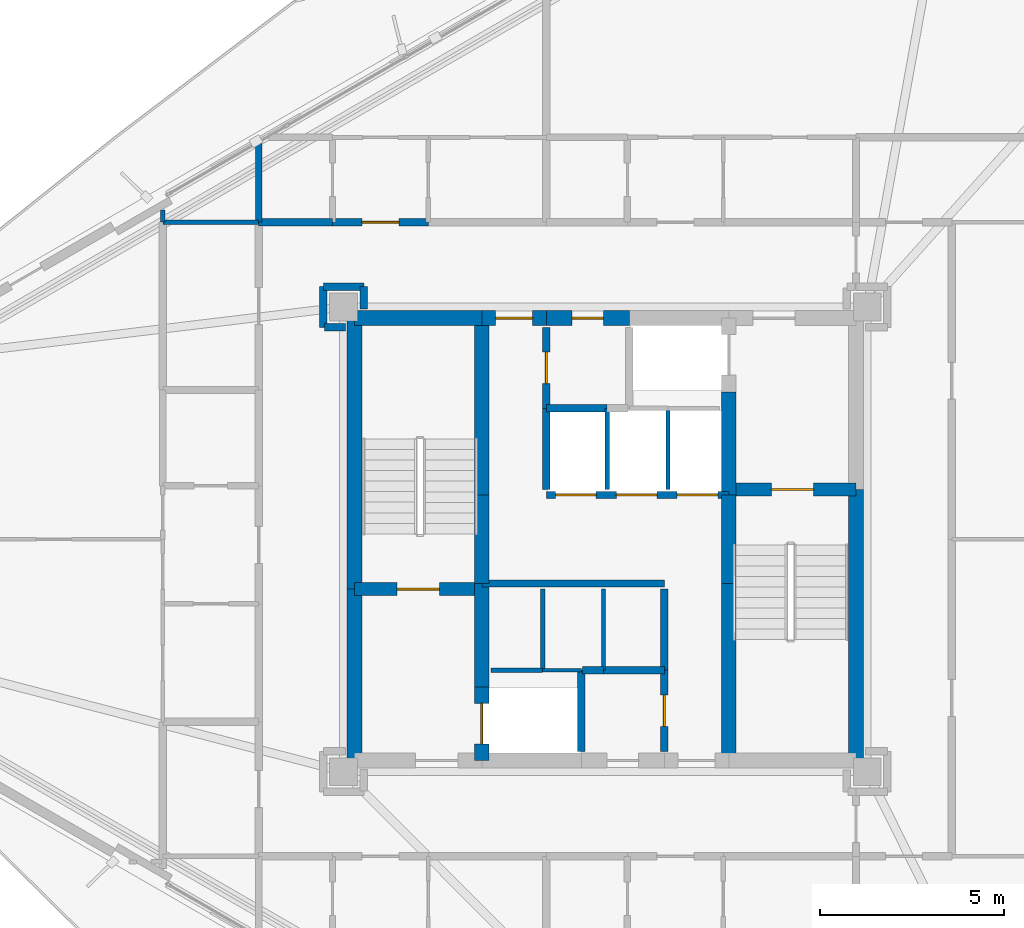
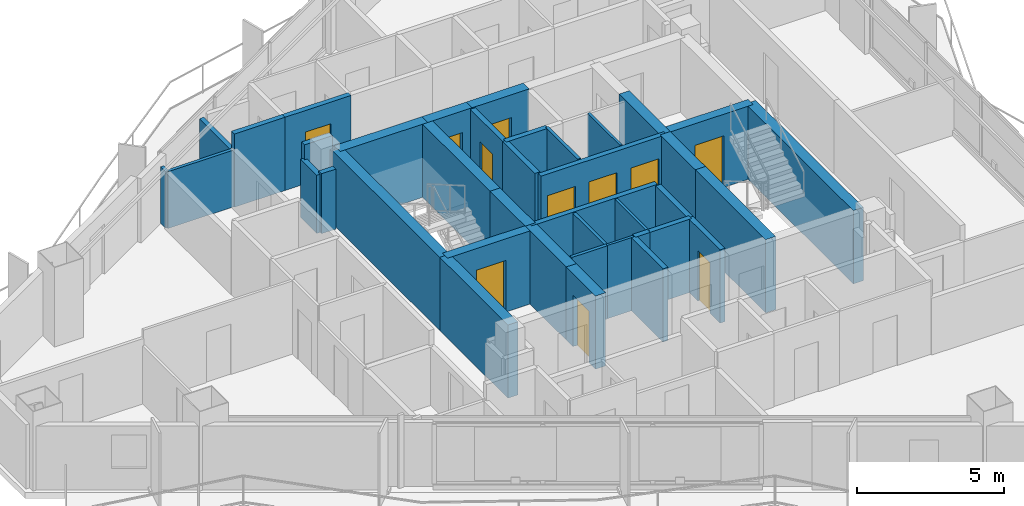
# One storey, part 18 of 23: 40 walls, 11 doors, 11 openings.
"""IFC4 building model written with IfcOpenShell, lengths in metres."""

import ifcopenshell
import ifcopenshell.guid

model = None  # the IFC model being written
_history = None  # IfcOwnerHistory: only IFC2X3 demands one
_inside = {}  # id of a spatial element -> (the spatial element, [elements in it])
_under = {}  # id of a project, library or spatial element -> (it, [spatial elements below it])
_declared = {}  # id of a project -> (the project, [libraries it declares])
_typed = {}  # id of a type object -> (the type object, [elements of that type])
_made_of = {}  # id of a material, layer set ... -> (it, [elements and type objects made of it])


def new_model(schema):
    """Start an empty IFC model of exactly this schema.

    Asked for "IFC4X3", IfcOpenShell would pick the latest addendum, in which some entities
    have other attributes; the version numbers below select the first issue.
    IFC2X3 requires an IfcOwnerHistory on every rooted entity: one is made here for all.
    """
    global model, _history
    if schema == "IFC4X3":
        model = ifcopenshell.file(schema_version=(4, 3, 0, 0))
    else:
        model = ifcopenshell.file(schema=schema)
    _inside.clear()
    _under.clear()
    _declared.clear()
    _typed.clear()
    _made_of.clear()
    _history = None
    if model.schema == "IFC2X3":
        org = make("IfcOrganization", Name="unknown")
        user = make(
            "IfcPersonAndOrganization",
            ThePerson=make("IfcPerson", FamilyName="unknown"),
            TheOrganization=org,
        )
        app = make(
            "IfcApplication",
            ApplicationDeveloper=org,
            Version="unknown",
            ApplicationFullName="unknown",
            ApplicationIdentifier="unknown",
        )
        _history = make(
            "IfcOwnerHistory",
            OwningUser=user,
            OwningApplication=app,
            ChangeAction="ADDED",
            CreationDate=0,
        )
    return model


def make(cls, **values):
    """One entity of the class cls with the attributes given. An attribute that is None is left unset."""
    return model.create_entity(
        cls, **{name: value for name, value in values.items() if value is not None}
    )


def rooted(cls, **values):
    """An entity with a GlobalId (a new one), such as an element, a storey or a relation."""
    return make(cls, GlobalId=ifcopenshell.guid.new(), OwnerHistory=_history, **values)


def si_unit(unit_type, name, prefix=None):
    """IfcSIUnit, for example si_unit("LENGTHUNIT", "METRE", prefix="MILLI")."""
    return make("IfcSIUnit", UnitType=unit_type, Prefix=prefix, Name=name)


def assignment(units):
    """IfcUnitAssignment: the units of a project."""
    return None if units is None else make("IfcUnitAssignment", Units=units)


def point(xyz):
    """IfcCartesianPoint."""
    return None if xyz is None else make("IfcCartesianPoint", Coordinates=xyz)


def direction(xyz):
    """IfcDirection."""
    return None if xyz is None else make("IfcDirection", DirectionRatios=xyz)


def frame(location, z_axis=None, x_axis=None):
    """IfcAxis2Placement3D, a coordinate frame: its origin and axes. An axis left out is left unset."""
    return make(
        "IfcAxis2Placement3D",
        Location=point(location),
        Axis=direction(z_axis),
        RefDirection=direction(x_axis),
    )


def frame_2d(location, x_axis=None):
    """IfcAxis2Placement2D, a coordinate frame in the plane: its origin and x axis."""
    return make(
        "IfcAxis2Placement2D", Location=point(location), RefDirection=direction(x_axis)
    )


def origin():
    """The frame at (0, 0, 0) with its axes left unset."""
    return frame((0.0, 0.0, 0.0))


def place(relative_to, where):
    """IfcLocalPlacement: puts the frame where relative to a parent placement (None: the world)."""
    return make(
        "IfcLocalPlacement", PlacementRelTo=relative_to, RelativePlacement=where
    )


def context(
    kind, dimensions, precision=None, world=None, true_north=None, identifier=None
):
    """IfcGeometricRepresentationContext, for example the 3D "Model" context."""
    return make(
        "IfcGeometricRepresentationContext",
        ContextIdentifier=identifier,
        ContextType=kind,
        CoordinateSpaceDimension=dimensions,
        Precision=precision,
        WorldCoordinateSystem=world,
        TrueNorth=true_north,
    )


def subcontext(parent, identifier, kind, view, scale=None):
    """IfcGeometricRepresentationSubContext, for example "Body" below "Model"."""
    return make(
        "IfcGeometricRepresentationSubContext",
        ContextIdentifier=identifier,
        ContextType=kind,
        ParentContext=parent,
        TargetScale=scale,
        TargetView=view,
    )


def project(units=None, contexts=None):
    """IfcProject with its units and contexts."""
    return rooted(
        "IfcProject",
        Name="project",
        RepresentationContexts=contexts,
        UnitsInContext=assignment(units),
    )


def spatial(cls, under=None, at=None, **own):
    """A site, building, storey or space (cls), placed at a placement, below another one or the project."""
    s = rooted(cls, ObjectPlacement=at, **own)
    if under is not None:
        _under.setdefault(under.id(), (under, []))[1].append(s)
    return s


def profile(cls, at=None, kind="AREA", **sizes):
    """A parametric profile (cls). Its sizes go by their IFC names, for example OverallWidth=200.0."""
    return make(cls, ProfileType=kind, Position=at, **sizes)


def rectangle(**sizes):
    """IfcRectangleProfileDef."""
    return profile("IfcRectangleProfileDef", **sizes)


def extrude(swept, where, along, depth):
    """IfcExtrudedAreaSolid: the profile swept, set in the frame where, extruded along a direction by depth."""
    return make(
        "IfcExtrudedAreaSolid",
        SweptArea=swept,
        Position=where,
        ExtrudedDirection=direction(along),
        Depth=depth,
    )


def shape(context_of_items, identifier, shape_type, items):
    """IfcShapeRepresentation: the items that make up one representation, for example the "Body"."""
    return make(
        "IfcShapeRepresentation",
        ContextOfItems=context_of_items,
        RepresentationIdentifier=identifier,
        RepresentationType=shape_type,
        Items=items,
    )


def material(Name=None, Category=None):
    """IfcMaterial."""
    return make("IfcMaterial", Name=Name, Category=Category)


def layer(
    of_material, thickness, ventilated=None, Name=None, Category=None, Priority=None
):
    """IfcMaterialLayer: one layer of a wall or slab, of a material (None: an air gap)."""
    return make(
        "IfcMaterialLayer",
        Material=of_material,
        LayerThickness=thickness,
        IsVentilated=ventilated,
        Name=Name,
        Category=Category,
        Priority=Priority,
    )


def layer_set(layers, Name=None):
    """IfcMaterialLayerSet."""
    return make("IfcMaterialLayerSet", MaterialLayers=layers, LayerSetName=Name)


def made_of(thing, what):
    """Note that an element or type object is made of a material, layer set ...; save() writes the relation."""
    if what is not None:
        _made_of.setdefault(what.id(), (what, []))[1].append(thing)
    return thing


def type_object(cls, material=None, **own):
    """A type object (cls), such as IfcWallType, which elements share."""
    return made_of(rooted(cls, **own), material)


def element(
    cls,
    number,
    at=None,
    inside=None,
    cuts=None,
    type_object=None,
    material=None,
    context=None,
    identifier="Body",
    shape_type=None,
    held_by="IfcProductDefinitionShape",
    body=None,
    shapes=None,
    **own,
):
    """One element of the class cls, such as IfcWall. Its Tag is "e" and its number.

    at: its placement. inside: the storey or other place that contains it. cuts: it is an
    opening in that element (IfcRelVoidsElement). A single representation is given by context,
    identifier, shape_type and body (its items); several are given by shapes. held_by: the class
    of the entity that holds the representations. save() writes the other relations.
    """
    e = rooted(cls, Tag="e%d" % number, ObjectPlacement=at, **own)
    if body is not None:
        shapes = [shape(context, identifier, shape_type, body)]
    if shapes is not None:
        e.Representation = make(held_by, Representations=shapes)
    if inside is not None:
        _inside.setdefault(inside.id(), (inside, []))[1].append(e)
    if cuts is not None:
        rooted(
            "IfcRelVoidsElement", RelatingBuildingElement=cuts, RelatedOpeningElement=e
        )
    if type_object is not None:
        _typed.setdefault(type_object.id(), (type_object, []))[1].append(e)
    return made_of(e, material)


def fill(opening, filler):
    """IfcRelFillsElement: the door or window that sits in an opening."""
    return rooted(
        "IfcRelFillsElement",
        RelatingOpeningElement=opening,
        RelatedBuildingElement=filler,
    )


def aggregate(whole, parts):
    """IfcRelAggregates: a whole, such as a stair, and the parts it consists of."""
    return rooted("IfcRelAggregates", RelatingObject=whole, RelatedObjects=parts)


def save(model, path):
    """Write the relations noted so far, then the file.

    IfcRelAggregates (storeys below a building ...), IfcRelContainedInSpatialStructure (elements
    in a storey), IfcRelDefinesByType, IfcRelAssociatesMaterial and IfcRelDeclares: one each for
    every whole, place, type object, material and project.
    """
    for whole, parts in _under.values():
        aggregate(whole, parts)
    for where, things in _inside.values():
        rooted(
            "IfcRelContainedInSpatialStructure",
            RelatedElements=things,
            RelatingStructure=where,
        )
    for kind, things in _typed.values():
        rooted("IfcRelDefinesByType", RelatedObjects=things, RelatingType=kind)
    for what, things in _made_of.values():
        rooted("IfcRelAssociatesMaterial", RelatedObjects=things, RelatingMaterial=what)
    for by, libraries in _declared.values():
        rooted("IfcRelDeclares", RelatingContext=by, RelatedDefinitions=libraries)
    model.write(path)


model = new_model("IFC4")

# Units and contexts
model_context = context("Model", 3, precision=1e-05, world=origin(), true_north=direction((0.0, 1.0)))
body_context = subcontext(model_context, "Body", "Model", "MODEL_VIEW")
ifc_project = project(units=[si_unit("LENGTHUNIT", "METRE"), si_unit("AREAUNIT", "SQUARE_METRE"), si_unit("VOLUMEUNIT", "CUBIC_METRE"), si_unit("PLANEANGLEUNIT", "RADIAN"), si_unit("MASSUNIT", "GRAM", prefix="KILO")], contexts=[model_context])

# Site, building, storey
site_placement = place(None, origin())
site = spatial("IfcSite", under=ifc_project, at=site_placement, CompositionType="ELEMENT")
building_placement = place(site_placement, origin())
building = spatial("IfcBuilding", under=site, at=building_placement, Name="Mersakhor Tower and Convention Hall", CompositionType="ELEMENT")
storey_placement = place(building_placement, frame((0.0, 0.0, 96.60009765625)))
storey = spatial("IfcBuildingStorey", under=building, at=storey_placement, Name="L26", CompositionType="ELEMENT", Elevation=96.60009765625)

# Walls
ifc_material_1 = material(Name="Moisture-resistant acoustic drywall studwork", Category="other")
ifc_layer_1 = layer(ifc_material_1, 0.175048828125)
ifc_layer_set_1 = layer_set([ifc_layer_1], Name="Moisture-resistant acoustic drywall studwork")
wall_type_1 = type_object("IfcWallType", Name="WL-PLM-175", PredefinedType="PLUMBINGWALL", material=ifc_layer_set_1)
wall_1_placement = place(storey_placement, frame((19.60009765625, 35.35009765625, 0.0), z_axis=(0.0, 0.0, 1.0), x_axis=(0.0, 1.0, 0.0)))
element("IfcWall", 1, at=wall_1_placement, inside=storey, type_object=wall_type_1, Name="L26 Interior Partition Wall P-076", PredefinedType="PLUMBINGWALL", context=body_context, shape_type="SweptSolid", body=[
    extrude(rectangle(XDim=2.136962890625, YDim=0.175048828125, at=frame_2d((1.068359375, 0.0))), origin(), (0.0, 0.0, 1.0), 2.364990234375),
])
ifc_material_2 = material(Name="Lightweight gypsum partition", Category="other")
ifc_layer_2 = layer(ifc_material_2, 0.10009765625)
ifc_layer_set_2 = layer_set([ifc_layer_2], Name="Lightweight gypsum partition")
wall_type_2 = type_object("IfcWallType", Name="WL-PRT-100", PredefinedType="PARTITIONING", material=ifc_layer_set_2)
wall_2_placement = place(storey_placement, frame((27.300048828125, 23.199951171875, 0.0), z_axis=(0.0, 0.0, 1.0), x_axis=(1.0, 0.0, 0.0)))
element("IfcWall", 2, at=wall_2_placement, inside=storey, type_object=wall_type_2, Name="L26 Interior Partition Wall P-002", PredefinedType="PARTITIONING", context=body_context, shape_type="SweptSolid", body=[
    extrude(rectangle(XDim=1.050048828125, YDim=0.10009765625, at=frame_2d((0.52490234375, 0.0))), origin(), (0.0, 0.0, 1.0), 3.0498046875),
])
for number, where, z_axis, x_axis, name in (
    (3, (28.949951171875, 25.39990234375, 0.0), (0.0, 0.0, 1.0), (0.0, -1.0, 0.0), "L26 Interior Partition Wall P-008"),
    (4, (30.699951171875, 30.300048828125, 0.0), (0.0, 0.0, 1.0), (0.0, -1.0, 0.0), "L26 Interior Partition Wall P-016"),
):
    element("IfcWall", number, at=place(storey_placement, frame(where, z_axis=z_axis, x_axis=x_axis)), inside=storey, type_object=wall_type_2, Name=name, PredefinedType="PARTITIONING", context=body_context, shape_type="SweptSolid", body=[
        extrude(rectangle(XDim=2.199951171875, YDim=0.10009765625, at=frame_2d((1.10009765625, 0.0))), origin(), (0.0, 0.0, 1.0), 3.0498046875),
    ])
ifc_material_3 = material(Name="Gypsum board acoustic partition", Category="other")
ifc_layer_3 = layer(ifc_material_3, 0.125)
ifc_layer_set_3 = layer_set([ifc_layer_3], Name="Gypsum board acoustic partition")
wall_type_3 = type_object("IfcWallType", Name="WL-PRT-125", PredefinedType="PARTITIONING", material=ifc_layer_set_3)
wall_3_placement = place(storey_placement, frame((25.89990234375, 23.199951171875, 0.0), z_axis=(0.0, 0.0, 1.0), x_axis=(1.0, 0.0, 0.0)))
element("IfcWall", 5, at=wall_3_placement, inside=storey, type_object=wall_type_3, Name="L26 Interior Partition Wall P-001", PredefinedType="PARTITIONING", context=body_context, shape_type="SweptSolid", body=[
    extrude(rectangle(XDim=1.400146484375, YDim=0.125, at=frame_2d((0.7001953125, 0.0))), origin(), (0.0, 0.0, 1.0), 3.0498046875),
])
for number, where, z_axis, x_axis, name in (
    (6, (27.300048828125, 25.39990234375, 0.0), (0.0, 0.0, 1.0), (0.0, -1.0, 0.0), "L26 Interior Partition Wall P-007"),
    (7, (29.050048828125, 30.300048828125, 0.0), (0.0, 0.0, 1.0), (0.0, -1.0, 0.0), "L26 Interior Partition Wall P-013"),
):
    element("IfcWall", number, at=place(storey_placement, frame(where, z_axis=z_axis, x_axis=x_axis)), inside=storey, type_object=wall_type_3, Name=name, PredefinedType="PARTITIONING", context=body_context, shape_type="SweptSolid", body=[
        extrude(rectangle(XDim=2.199951171875, YDim=0.125, at=frame_2d((1.10009765625, 0.0))), origin(), (0.0, 0.0, 1.0), 3.0498046875),
    ])
wall_4_placement = place(storey_placement, frame((17.0, 35.35009765625, 0.0), z_axis=(0.0, 0.0, 1.0), x_axis=(1.0, 0.0, 0.0)))
element("IfcWall", 8, at=wall_4_placement, inside=storey, type_object=wall_type_3, Name="L26 Interior Partition Wall P-099", PredefinedType="PARTITIONING", context=body_context, shape_type="SweptSolid", body=[
    extrude(rectangle(XDim=2.60009765625, YDim=0.125, at=frame_2d((1.300048828125, 0.0))), origin(), (0.0, 0.0, 1.0), 2.364990234375),
])
wall_5_placement = place(storey_placement, frame((17.0, 35.676513671875, 0.0), z_axis=(0.0, 0.0, 1.0), x_axis=(0.0, -1.0, 0.0)))
element("IfcWall", 9, at=wall_5_placement, inside=storey, type_object=wall_type_3, Name="L26 Interior Partition Wall P-107", PredefinedType="PARTITIONING", context=body_context, shape_type="SweptSolid", body=[
    extrude(rectangle(XDim=0.326416015625, YDim=0.125, at=frame_2d((0.1630859375, 0.0))), origin(), (0.0, 0.0, 1.0), 2.364990234375),
])
ifc_material_4 = material(Name="Acoustic concrete blockwork and gypsum board", Category="masonry")
ifc_layer_4 = layer(ifc_material_4, 0.199951171875)
ifc_layer_set_4 = layer_set([ifc_layer_4], Name="Acoustic concrete blockwork and gypsum board")
wall_type_4 = type_object("IfcWallType", Name="WL-PRT-200", PredefinedType="PARTITIONING", material=ifc_layer_set_4)
wall_6_placement = place(storey_placement, frame((25.64990234375, 25.550048828125, 0.0), z_axis=(0.0, 0.0, 1.0), x_axis=(1.0, 0.0, 0.0)))
element("IfcWall", 10, at=wall_6_placement, inside=storey, type_object=wall_type_4, Name="L26 High-Rise Lift Bank Front Wall", PredefinedType="PARTITIONING", context=body_context, shape_type="SweptSolid", body=[
    extrude(rectangle(XDim=4.9501953125, YDim=0.199951171875, at=frame_2d((2.47509765625, 0.0))), origin(), (0.0, 0.0, 1.0), 3.0498046875),
])

# Wall, openings, doors
wall_7_placement = place(storey_placement, frame((27.39990234375, 27.949951171875, 0.0), z_axis=(0.0, 0.0, 1.0), x_axis=(1.0, 0.0, 0.0)))
wall_7 = element("IfcWall", 11, at=wall_7_placement, inside=storey, type_object=wall_type_4, Name="L26 Low-Rise Lift Bank Front Wall", PredefinedType="PARTITIONING", context=body_context, shape_type="SweptSolid", body=[
    extrude(rectangle(XDim=4.9501953125, YDim=0.199951171875, at=frame_2d((2.47509765625, 0.0))), origin(), (0.0, 0.0, 1.0), 3.0498046875),
])
opening_1_placement = place(wall_7_placement, frame((0.25, 0.0, 0.0)))
opening_1 = element("IfcOpeningElement", 12, at=opening_1_placement, cuts=wall_7, Name="Opening LD-P1", PredefinedType="OPENING", context=body_context, shape_type="SweptSolid", body=[
    extrude(rectangle(XDim=1.10009765625, YDim=2.14990234375, at=frame_2d((0.550048828125, 1.074951171875))), frame((0.0, 0.10986328125, 0.0), z_axis=(0.0, -1.0, 0.0), x_axis=(1.0, 0.0, 0.0)), (0.0, 0.0, 1.0), 0.219970703125),
])
opening_2_placement = place(wall_7_placement, frame((1.89990234375, 0.0, 0.0)))
opening_2 = element("IfcOpeningElement", 13, at=opening_2_placement, cuts=wall_7, Name="Opening LD-P2", PredefinedType="OPENING", context=body_context, shape_type="SweptSolid", body=[
    extrude(rectangle(XDim=1.10009765625, YDim=2.14990234375, at=frame_2d((0.550048828125, 1.074951171875))), frame((0.0, 0.10986328125, 0.0), z_axis=(0.0, -1.0, 0.0), x_axis=(1.0, 0.0, 0.0)), (0.0, 0.0, 1.0), 0.219970703125),
])
opening_3_placement = place(wall_7_placement, frame((3.550048828125, 0.0, 0.0)))
opening_3 = element("IfcOpeningElement", 14, at=opening_3_placement, cuts=wall_7, Name="Opening LD-P3", PredefinedType="OPENING", context=body_context, shape_type="SweptSolid", body=[
    extrude(rectangle(XDim=1.10009765625, YDim=2.14990234375, at=frame_2d((0.550048828125, 1.074951171875))), frame((0.0, 0.10986328125, 0.0), z_axis=(0.0, -1.0, 0.0), x_axis=(1.0, 0.0, 0.0)), (0.0, 0.0, 1.0), 0.219970703125),
])
ifc_material_5 = material(Name="Fire-rated brushed stainless steel sliding landing door", Category="steel")
door_type_1 = type_object("IfcDoorType", Name="DR-LIFT-SLD-110x215", OperationType="NOTDEFINED", PredefinedType="DOOR", material=ifc_material_5)
door_1_placement = place(opening_1_placement, origin())
door_1 = element("IfcDoor", 15, at=door_1_placement, inside=storey, type_object=door_type_1, Name="L26 Lift Landing Door LD-P1", OperationType="SLIDING_TO_LEFT", OverallHeight=2.14990234375, OverallWidth=1.10009765625, PredefinedType="DOOR", context=body_context, shape_type="SweptSolid", body=[
    extrude(rectangle(XDim=1.10009765625, YDim=2.14990234375, at=frame_2d((0.550048828125, 1.074951171875))), frame((0.0, 0.02490234375, 0.0), z_axis=(0.0, -1.0, 0.0), x_axis=(1.0, 0.0, 0.0)), (0.0, 0.0, 1.0), 0.050048828125),
])
fill(opening_1, door_1)
door_2_placement = place(opening_2_placement, origin())
door_2 = element("IfcDoor", 16, at=door_2_placement, inside=storey, type_object=door_type_1, Name="L26 Lift Landing Door LD-P2", OperationType="SLIDING_TO_LEFT", OverallHeight=2.14990234375, OverallWidth=1.10009765625, PredefinedType="DOOR", context=body_context, shape_type="SweptSolid", body=[
    extrude(rectangle(XDim=1.10009765625, YDim=2.14990234375, at=frame_2d((0.550048828125, 1.074951171875))), frame((0.0, 0.02490234375, 0.0), z_axis=(0.0, -1.0, 0.0), x_axis=(1.0, 0.0, 0.0)), (0.0, 0.0, 1.0), 0.050048828125),
])
fill(opening_2, door_2)
door_3_placement = place(opening_3_placement, origin())
door_3 = element("IfcDoor", 17, at=door_3_placement, inside=storey, type_object=door_type_1, Name="L26 Lift Landing Door LD-P3", OperationType="SLIDING_TO_LEFT", OverallHeight=2.14990234375, OverallWidth=1.10009765625, PredefinedType="DOOR", context=body_context, shape_type="SweptSolid", body=[
    extrude(rectangle(XDim=1.10009765625, YDim=2.14990234375, at=frame_2d((0.550048828125, 1.074951171875))), frame((0.0, 0.02490234375, 0.0), z_axis=(0.0, -1.0, 0.0), x_axis=(1.0, 0.0, 0.0)), (0.0, 0.0, 1.0), 0.050048828125),
])
fill(opening_3, door_3)

# Walls
wall_8_placement = place(storey_placement, frame((28.35009765625, 23.199951171875, 0.0), z_axis=(0.0, 0.0, 1.0), x_axis=(0.0, -1.0, 0.0)))
element("IfcWall", 18, at=wall_8_placement, inside=storey, type_object=wall_type_4, Name="L26 Interior Partition Wall P-003", PredefinedType="PARTITIONING", context=body_context, shape_type="SweptSolid", body=[
    extrude(rectangle(XDim=2.199951171875, YDim=0.199951171875, at=frame_2d((1.10009765625, 0.0))), origin(), (0.0, 0.0, 1.0), 3.0498046875),
])
wall_9_placement = place(storey_placement, frame((28.949951171875, 23.199951171875, 0.0), z_axis=(0.0, 0.0, 1.0), x_axis=(-1.0, 0.0, 0.0)))
element("IfcWall", 19, at=wall_9_placement, inside=storey, type_object=wall_type_4, Name="L26 Interior Partition Wall P-009", PredefinedType="PARTITIONING", context=body_context, shape_type="SweptSolid", body=[
    extrude(rectangle(XDim=0.570068359375, YDim=0.199951171875, at=frame_2d((0.28515625, 0.0))), origin(), (0.0, 0.0, 1.0), 3.0498046875),
])
wall_10_placement = place(storey_placement, frame((30.60009765625, 25.39990234375, 0.0), z_axis=(0.0, 0.0, 1.0), x_axis=(0.0, -1.0, 0.0)))
element("IfcWall", 20, at=wall_10_placement, inside=storey, type_object=wall_type_4, Name="L26 Interior Partition Wall P-010", PredefinedType="PARTITIONING", context=body_context, shape_type="SweptSolid", body=[
    extrude(rectangle(XDim=2.199951171875, YDim=0.199951171875, at=frame_2d((1.10009765625, 0.0))), origin(), (0.0, 0.0, 1.0), 3.0498046875),
])
for number, where, z_axis, x_axis, name in (
    (21, (30.60009765625, 23.199951171875, 0.0), (0.0, 0.0, 1.0), (-1.0, 0.0, 0.0), "L26 Interior Partition Wall P-011"),
    (22, (27.39990234375, 30.300048828125, 0.0), (0.0, 0.0, 1.0), (1.0, 0.0, 0.0), "L26 Interior Partition Wall P-012"),
):
    element("IfcWall", number, at=place(storey_placement, frame(where, z_axis=z_axis, x_axis=x_axis)), inside=storey, type_object=wall_type_4, Name=name, PredefinedType="PARTITIONING", context=body_context, shape_type="SweptSolid", body=[
        extrude(rectangle(XDim=1.650146484375, YDim=0.199951171875, at=frame_2d((0.8251953125, 0.0))), origin(), (0.0, 0.0, 1.0), 3.0498046875),
    ])
wall_11_placement = place(storey_placement, frame((27.39990234375, 28.10009765625, 0.0), z_axis=(0.0, 0.0, 1.0), x_axis=(0.0, 1.0, 0.0)))
element("IfcWall", 23, at=wall_11_placement, inside=storey, type_object=wall_type_4, Name="L26 Interior Partition Wall P-014", PredefinedType="PARTITIONING", context=body_context, shape_type="SweptSolid", body=[
    extrude(rectangle(XDim=2.199951171875, YDim=0.199951171875, at=frame_2d((1.10009765625, 0.0))), origin(), (0.0, 0.0, 1.0), 3.0498046875),
])

# Wall, opening, door
wall_12_placement = place(storey_placement, frame((30.60009765625, 21.0, 0.0), z_axis=(0.0, 0.0, 1.0), x_axis=(0.0, 1.0, 0.0)))
wall_12 = element("IfcWall", 24, at=wall_12_placement, inside=storey, type_object=wall_type_4, Name="L26 Interior Partition Wall P-017", PredefinedType="PARTITIONING", context=body_context, shape_type="SweptSolid", body=[
    extrude(rectangle(XDim=2.199951171875, YDim=0.199951171875, at=frame_2d((1.10009765625, 0.0))), origin(), (0.0, 0.0, 1.0), 3.0498046875),
])
opening_4_placement = place(wall_12_placement, frame((0.675048828125, 0.0, 0.0)))
opening_4 = element("IfcOpeningElement", 25, at=opening_4_placement, cuts=wall_12, Name="Opening SVD-01", PredefinedType="OPENING", context=body_context, shape_type="SweptSolid", body=[
    extrude(rectangle(XDim=0.85009765625, YDim=2.10009765625, at=frame_2d((0.425048828125, 1.050048828125))), frame((0.0, 0.10986328125, 0.0), z_axis=(0.0, -1.0, 0.0), x_axis=(1.0, 0.0, 0.0)), (0.0, 0.0, 1.0), 0.219970703125),
])
ifc_material_6 = material(Name="Fire-rated hardwood leaf and painted steel frame", Category="steel")
door_type_2 = type_object("IfcDoorType", Name="DR-INT-SVC-085x210", OperationType="NOTDEFINED", PredefinedType="DOOR", material=ifc_material_6)
door_4_placement = place(opening_4_placement, origin())
door_4 = element("IfcDoor", 26, at=door_4_placement, inside=storey, type_object=door_type_2, Name="L26 Central Passenger Lift Lobby to Electrical Switchroom Door", OperationType="SINGLE_SWING_LEFT", OverallHeight=2.10009765625, OverallWidth=0.85009765625, PredefinedType="DOOR", context=body_context, shape_type="SweptSolid", body=[
    extrude(rectangle(XDim=0.85009765625, YDim=2.10009765625, at=frame_2d((0.425048828125, 1.050048828125))), frame((0.0, 0.02490234375, 0.0), z_axis=(0.0, -1.0, 0.0), x_axis=(1.0, 0.0, 0.0)), (0.0, 0.0, 1.0), 0.050048828125),
])
fill(opening_4, door_4)

wall_13_placement = place(storey_placement, frame((27.39990234375, 32.5, 0.0), z_axis=(0.0, 0.0, 1.0), x_axis=(0.0, -1.0, 0.0)))
wall_13 = element("IfcWall", 27, at=wall_13_placement, inside=storey, type_object=wall_type_4, Name="L26 Interior Partition Wall P-018", PredefinedType="PARTITIONING", context=body_context, shape_type="SweptSolid", body=[
    extrude(rectangle(XDim=2.199951171875, YDim=0.199951171875, at=frame_2d((1.10009765625, 0.0))), origin(), (0.0, 0.0, 1.0), 3.0498046875),
])
opening_5_placement = place(wall_13_placement, frame((0.675048828125, 0.0, 0.0)))
opening_5 = element("IfcOpeningElement", 28, at=opening_5_placement, cuts=wall_13, Name="Opening SVD-01", PredefinedType="OPENING", context=body_context, shape_type="SweptSolid", body=[
    extrude(rectangle(XDim=0.85009765625, YDim=2.10009765625, at=frame_2d((0.425048828125, 1.050048828125))), frame((0.0, 0.10986328125, 0.0), z_axis=(0.0, -1.0, 0.0), x_axis=(1.0, 0.0, 0.0)), (0.0, 0.0, 1.0), 0.219970703125),
])
door_5_placement = place(opening_5_placement, origin())
door_5 = element("IfcDoor", 29, at=door_5_placement, inside=storey, type_object=door_type_2, Name="L26 Central Passenger Lift Lobby to Telecoms and BMS Riser Room Door", OperationType="SINGLE_SWING_RIGHT", OverallHeight=2.10009765625, OverallWidth=0.85009765625, PredefinedType="DOOR", context=body_context, shape_type="SweptSolid", body=[
    extrude(rectangle(XDim=0.85009765625, YDim=2.10009765625, at=frame_2d((0.425048828125, 1.050048828125))), frame((0.0, 0.02490234375, 0.0), z_axis=(0.0, -1.0, 0.0), x_axis=(1.0, 0.0, 0.0)), (0.0, 0.0, 1.0), 0.050048828125),
])
fill(opening_5, door_5)

# Wall
wall_14_placement = place(storey_placement, frame((19.60009765625, 35.35009765625, 0.0), z_axis=(0.0, 0.0, 1.0), x_axis=(1.0, 0.0, 0.0)))
element("IfcWall", 30, at=wall_14_placement, inside=storey, type_object=wall_type_4, Name="L26 Interior Partition Wall P-035", PredefinedType="PARTITIONING", context=body_context, shape_type="SweptSolid", body=[
    extrude(rectangle(XDim=2.0, YDim=0.199951171875, at=frame_2d((1.0, 0.0))), origin(), (0.0, 0.0, 1.0), 3.0498046875),
])

# Wall, opening, door
wall_15_placement = place(storey_placement, frame((21.60009765625, 35.35009765625, 0.0), z_axis=(0.0, 0.0, 1.0), x_axis=(1.0, 0.0, 0.0)))
wall_15 = element("IfcWall", 31, at=wall_15_placement, inside=storey, type_object=wall_type_4, Name="L26 Interior Partition Wall P-036", PredefinedType="PARTITIONING", context=body_context, shape_type="SweptSolid", body=[
    extrude(rectangle(XDim=2.599853515625, YDim=0.199951171875, at=frame_2d((1.2998046875, 0.0))), origin(), (0.0, 0.0, 1.0), 3.0498046875),
])
opening_6_placement = place(wall_15_placement, frame((0.800048828125, 0.0, 0.0)))
opening_6 = element("IfcOpeningElement", 32, at=opening_6_placement, cuts=wall_15, Name="Opening FD-01", PredefinedType="OPENING", context=body_context, shape_type="SweptSolid", body=[
    extrude(rectangle(XDim=1.0, YDim=2.14990234375, at=frame_2d((0.5, 1.074951171875))), frame((0.0, 0.10986328125, 0.0), z_axis=(0.0, -1.0, 0.0), x_axis=(1.0, 0.0, 0.0)), (0.0, 0.0, 1.0), 0.219970703125),
])
ifc_material_7 = material(Name="Fire-rated hardwood leaf and painted steel frame", Category="steel")
door_type_3 = type_object("IfcDoorType", Name="DR-INT-FLT-100x215", OperationType="NOTDEFINED", PredefinedType="DOOR", material=ifc_material_7)
door_6_placement = place(opening_6_placement, origin())
door_6 = element("IfcDoor", 33, at=door_6_placement, inside=storey, type_object=door_type_3, Name="L26 Apartment Entrance Door (Residential Ring Corridor to L26 Flat N1 Apartment Hall)", OperationType="SINGLE_SWING_LEFT", OverallHeight=2.14990234375, OverallWidth=1.0, PredefinedType="DOOR", context=body_context, shape_type="SweptSolid", body=[
    extrude(rectangle(XDim=1.0, YDim=2.14990234375, at=frame_2d((0.5, 1.074951171875))), frame((0.0, 0.02490234375, 0.0), z_axis=(0.0, -1.0, 0.0), x_axis=(1.0, 0.0, 0.0)), (0.0, 0.0, 1.0), 0.050048828125),
])
fill(opening_6, door_6)

# Walls
wall_16_placement = place(storey_placement, frame((22.449951171875, 33.0, 0.0), z_axis=(0.0, 0.0, 1.0), x_axis=(0.0, 1.0, 0.0)))
element("IfcWall", 34, at=wall_16_placement, inside=storey, type_object=wall_type_4, Name="L26 Interior Partition Wall P-044", PredefinedType="PARTITIONING", context=body_context, shape_type="SweptSolid", body=[
    extrude(rectangle(XDim=0.60009765625, YDim=0.199951171875, at=frame_2d((0.300048828125, 0.0))), origin(), (0.0, 0.0, 1.0), 2.498291015625),
])
wall_17_placement = place(storey_placement, frame((22.449951171875, 33.60009765625, 0.0), z_axis=(0.0, 0.0, 1.0), x_axis=(-1.0, 0.0, 0.0)))
element("IfcWall", 35, at=wall_17_placement, inside=storey, type_object=wall_type_4, Name="L26 Interior Partition Wall P-045", PredefinedType="PARTITIONING", context=body_context, shape_type="SweptSolid", body=[
    extrude(rectangle(XDim=1.099853515625, YDim=0.199951171875, at=frame_2d((0.5498046875, 0.0))), origin(), (0.0, 0.0, 1.0), 3.0498046875),
])
wall_18_placement = place(storey_placement, frame((21.35009765625, 33.60009765625, 0.0), z_axis=(0.0, 0.0, 1.0), x_axis=(0.0, -1.0, 0.0)))
element("IfcWall", 36, at=wall_18_placement, inside=storey, type_object=wall_type_4, Name="L26 Interior Partition Wall P-046", PredefinedType="PARTITIONING", context=body_context, shape_type="SweptSolid", body=[
    extrude(rectangle(XDim=1.10009765625, YDim=0.199951171875, at=frame_2d((0.550048828125, 0.0))), origin(), (0.0, 0.0, 1.0), 2.422607421875),
])
wall_19_placement = place(storey_placement, frame((21.3798828125, 32.5, 0.0), z_axis=(0.0, 0.0, 1.0), x_axis=(1.0, 0.0, 0.0)))
element("IfcWall", 37, at=wall_19_placement, inside=storey, type_object=wall_type_4, Name="L26 Interior Partition Wall P-047", PredefinedType="PARTITIONING", context=body_context, shape_type="SweptSolid", body=[
    extrude(rectangle(XDim=0.570068359375, YDim=0.199951171875, at=frame_2d((0.28515625, 0.0))), origin(), (0.0, 0.0, 1.0), 2.498291015625),
])

# Wall, opening, door
ifc_material_8 = material(Name="Concrete C50/60", Category="concrete")
ifc_layer_5 = layer(ifc_material_8, 0.35009765625)
ifc_layer_set_5 = layer_set([ifc_layer_5], Name="Concrete C50/60")
wall_type_5 = type_object("IfcWallType", Name="WL-SHR-350", PredefinedType="SHEAR", material=ifc_layer_set_5)
wall_20_placement = place(storey_placement, frame((22.199951171875, 25.39990234375, 0.0), z_axis=(0.0, 0.0, 1.0), x_axis=(1.0, 0.0, 0.0)))
wall_20 = element("IfcWall", 38, at=wall_20_placement, inside=storey, type_object=wall_type_5, Name="L26 Core Wall CS-ST1-S", PredefinedType="SHEAR", context=body_context, shape_type="SweptSolid", body=[
    extrude(rectangle(XDim=3.449951171875, YDim=0.35009765625, at=frame_2d((1.72509765625, 0.0))), origin(), (0.0, 0.0, 1.0), 3.0498046875),
])
opening_7_placement = place(wall_20_placement, frame((1.14990234375, 0.0, 0.0)))
opening_7 = element("IfcOpeningElement", 39, at=opening_7_placement, cuts=wall_20, Name="Opening SD-01", PredefinedType="OPENING", context=body_context, shape_type="SweptSolid", body=[
    extrude(rectangle(XDim=1.14990234375, YDim=2.14990234375, at=frame_2d((0.574951171875, 1.074951171875))), frame((0.0, 0.18505859375, 0.0), z_axis=(0.0, -1.0, 0.0), x_axis=(1.0, 0.0, 0.0)), (0.0, 0.0, 1.0), 0.3701171875),
])
ifc_material_9 = material(Name="Fire-rated hardwood leaf and painted steel frame", Category="steel")
door_type_4 = type_object("IfcDoorType", Name="DR-INT-STAIR-115x215", OperationType="NOTDEFINED", PredefinedType="DOOR", material=ifc_material_9)
door_7_placement = place(opening_7_placement, origin())
door_7 = element("IfcDoor", 40, at=door_7_placement, inside=storey, type_object=door_type_4, Name="L26 Exit Stair ST-1 Enclosure Door", OperationType="SINGLE_SWING_LEFT", OverallHeight=2.14990234375, OverallWidth=1.14990234375, PredefinedType="DOOR", context=body_context, shape_type="SweptSolid", body=[
    extrude(rectangle(XDim=1.14990234375, YDim=2.14990234375, at=frame_2d((0.574951171875, 1.074951171875))), frame((0.0, 0.02490234375, 0.0), z_axis=(0.0, -1.0, 0.0), x_axis=(1.0, 0.0, 0.0)), (0.0, 0.0, 1.0), 0.050048828125),
])
fill(opening_7, door_7)

wall_21_placement = place(storey_placement, frame((32.35009765625, 28.10009765625, 0.0), z_axis=(0.0, 0.0, 1.0), x_axis=(1.0, 0.0, 0.0)))
wall_21 = element("IfcWall", 41, at=wall_21_placement, inside=storey, type_object=wall_type_5, Name="L26 Core Wall CS-ST2-N", PredefinedType="SHEAR", context=body_context, shape_type="SweptSolid", body=[
    extrude(rectangle(XDim=3.449951171875, YDim=0.35009765625, at=frame_2d((1.72509765625, 0.0))), origin(), (0.0, 0.0, 1.0), 3.0498046875),
])
opening_8_placement = place(wall_21_placement, frame((1.14990234375, 0.0, 0.0)))
opening_8 = element("IfcOpeningElement", 42, at=opening_8_placement, cuts=wall_21, Name="Opening SD-01", PredefinedType="OPENING", context=body_context, shape_type="SweptSolid", body=[
    extrude(rectangle(XDim=1.14990234375, YDim=2.14990234375, at=frame_2d((0.574951171875, 1.074951171875))), frame((0.0, 0.18505859375, 0.0), z_axis=(0.0, -1.0, 0.0), x_axis=(1.0, 0.0, 0.0)), (0.0, 0.0, 1.0), 0.3701171875),
])
door_8_placement = place(opening_8_placement, origin())
door_8 = element("IfcDoor", 43, at=door_8_placement, inside=storey, type_object=door_type_4, Name="L26 Exit Stair ST-2 Enclosure Door", OperationType="SINGLE_SWING_RIGHT", OverallHeight=2.14990234375, OverallWidth=1.14990234375, PredefinedType="DOOR", context=body_context, shape_type="SweptSolid", body=[
    extrude(rectangle(XDim=1.14990234375, YDim=2.14990234375, at=frame_2d((0.574951171875, 1.074951171875))), frame((0.0, 0.02490234375, 0.0), z_axis=(0.0, -1.0, 0.0), x_axis=(1.0, 0.0, 0.0)), (0.0, 0.0, 1.0), 0.050048828125),
])
fill(opening_8, door_8)

# Walls
ifc_material_10 = material(Name="Concrete C60/75", Category="concrete")
ifc_layer_6 = layer(ifc_material_10, 0.39990234375)
ifc_layer_set_6 = layer_set([ifc_layer_6], Name="Concrete C60/75")
wall_type_6 = type_object("IfcWallType", Name="WL-SHR-400", PredefinedType="SHEAR", material=ifc_layer_set_6)
wall_22_placement = place(storey_placement, frame((22.199951171875, 20.75, 0.0), z_axis=(0.0, 0.0, 1.0), x_axis=(0.0, 1.0, 0.0)))
element("IfcWall", 44, at=wall_22_placement, inside=storey, type_object=wall_type_6, Name="L26 Core Wall CW-W1", PredefinedType="SHEAR", context=body_context, shape_type="SweptSolid", body=[
    extrude(rectangle(XDim=4.64990234375, YDim=0.39990234375, at=frame_2d((2.324951171875, 0.0))), origin(), (0.0, 0.0, 1.0), 3.0498046875),
])
wall_23_placement = place(storey_placement, frame((22.199951171875, 25.39990234375, 0.0), z_axis=(0.0, 0.0, 1.0), x_axis=(0.0, 1.0, 0.0)))
element("IfcWall", 45, at=wall_23_placement, inside=storey, type_object=wall_type_6, Name="L26 Core Wall CW-W2", PredefinedType="SHEAR", context=body_context, shape_type="SweptSolid", body=[
    extrude(rectangle(XDim=7.35009765625, YDim=0.39990234375, at=frame_2d((3.675048828125, 0.0))), origin(), (0.0, 0.0, 1.0), 3.0498046875),
])
wall_24_placement = place(storey_placement, frame((22.199951171875, 32.75, 0.0), z_axis=(0.0, 0.0, 1.0), x_axis=(1.0, 0.0, 0.0)))
element("IfcWall", 46, at=wall_24_placement, inside=storey, type_object=wall_type_6, Name="L26 Core Wall CW-N1", PredefinedType="SHEAR", context=body_context, shape_type="SweptSolid", body=[
    extrude(rectangle(XDim=3.449951171875, YDim=0.39990234375, at=frame_2d((1.72509765625, 0.0))), origin(), (0.0, 0.0, 1.0), 3.0498046875),
])

# Wall, opening, door
wall_25_placement = place(storey_placement, frame((25.64990234375, 32.75, 0.0), z_axis=(0.0, 0.0, 1.0), x_axis=(1.0, 0.0, 0.0)))
wall_25 = element("IfcWall", 47, at=wall_25_placement, inside=storey, type_object=wall_type_6, Name="L26 Core Wall CW-N2A", PredefinedType="SHEAR", context=body_context, shape_type="SweptSolid", body=[
    extrude(rectangle(XDim=1.75, YDim=0.39990234375, at=frame_2d((0.875, 0.0))), origin(), (0.0, 0.0, 1.0), 3.0498046875),
])
opening_9_placement = place(wall_25_placement, frame((0.375, 0.0, 0.0)))
opening_9 = element("IfcOpeningElement", 48, at=opening_9_placement, cuts=wall_25, Name="Opening CFD-01", PredefinedType="OPENING", context=body_context, shape_type="SweptSolid", body=[
    extrude(rectangle(XDim=1.0, YDim=2.14990234375, at=frame_2d((0.5, 1.074951171875))), frame((0.0, 0.2099609375, 0.0), z_axis=(0.0, -1.0, 0.0), x_axis=(1.0, 0.0, 0.0)), (0.0, 0.0, 1.0), 0.419921875),
])
ifc_material_11 = material(Name="Fire-rated hardwood leaf and painted steel frame", Category="steel")
door_type_5 = type_object("IfcDoorType", Name="DR-CORE-FD-100x215", OperationType="NOTDEFINED", PredefinedType="DOOR", material=ifc_material_11)
door_9_placement = place(opening_9_placement, origin())
door_9 = element("IfcDoor", 49, at=door_9_placement, inside=storey, type_object=door_type_5, Name="L26 Lift Lobby North Corridor Door", OperationType="SINGLE_SWING_LEFT", OverallHeight=2.14990234375, OverallWidth=1.0, PredefinedType="DOOR", context=body_context, shape_type="SweptSolid", body=[
    extrude(rectangle(XDim=1.0, YDim=2.14990234375, at=frame_2d((0.5, 1.074951171875))), frame((0.0, 0.02490234375, 0.0), z_axis=(0.0, -1.0, 0.0), x_axis=(1.0, 0.0, 0.0)), (0.0, 0.0, 1.0), 0.050048828125),
])
fill(opening_9, door_9)

wall_26_placement = place(storey_placement, frame((27.39990234375, 32.75, 0.0), z_axis=(0.0, 0.0, 1.0), x_axis=(1.0, 0.0, 0.0)))
wall_26 = element("IfcWall", 50, at=wall_26_placement, inside=storey, type_object=wall_type_6, Name="L26 Core Wall CW-N2B", PredefinedType="SHEAR", context=body_context, shape_type="SweptSolid", body=[
    extrude(rectangle(XDim=2.25, YDim=0.39990234375, at=frame_2d((1.125, 0.0))), origin(), (0.0, 0.0, 1.0), 3.0498046875),
])
opening_10_placement = place(wall_26_placement, frame((0.699951171875, 0.0, 0.0)))
opening_10 = element("IfcOpeningElement", 51, at=opening_10_placement, cuts=wall_26, Name="Opening SVD-01", PredefinedType="OPENING", context=body_context, shape_type="SweptSolid", body=[
    extrude(rectangle(XDim=0.85009765625, YDim=2.10009765625, at=frame_2d((0.425048828125, 1.050048828125))), frame((0.0, 0.2099609375, 0.0), z_axis=(0.0, -1.0, 0.0), x_axis=(1.0, 0.0, 0.0)), (0.0, 0.0, 1.0), 0.419921875),
])
door_10_placement = place(opening_10_placement, origin())
door_10 = element("IfcDoor", 52, at=door_10_placement, inside=storey, type_object=door_type_2, Name="L26 Residential Ring Corridor to Telecoms and BMS Riser Room Door", OperationType="SINGLE_SWING_LEFT", OverallHeight=2.10009765625, OverallWidth=0.85009765625, PredefinedType="DOOR", context=body_context, shape_type="SweptSolid", body=[
    extrude(rectangle(XDim=0.85009765625, YDim=2.10009765625, at=frame_2d((0.425048828125, 1.050048828125))), frame((0.0, 0.02490234375, 0.0), z_axis=(0.0, -1.0, 0.0), x_axis=(1.0, 0.0, 0.0)), (0.0, 0.0, 1.0), 0.050048828125),
])
fill(opening_10, door_10)

# Wall
wall_27_placement = place(storey_placement, frame((35.800048828125, 28.10009765625, 0.0), z_axis=(0.0, 0.0, 1.0), x_axis=(0.0, -1.0, 0.0)))
element("IfcWall", 53, at=wall_27_placement, inside=storey, type_object=wall_type_6, Name="L26 Core Wall CW-E2", PredefinedType="SHEAR", context=body_context, shape_type="SweptSolid", body=[
    extrude(rectangle(XDim=7.35009765625, YDim=0.39990234375, at=frame_2d((3.675048828125, 0.0))), origin(), (0.0, 0.0, 1.0), 3.0498046875),
])

# Wall, opening, door
wall_28_placement = place(storey_placement, frame((25.64990234375, 20.75, 0.0), z_axis=(0.0, 0.0, 1.0), x_axis=(0.0, 1.0, 0.0)))
wall_28 = element("IfcWall", 54, at=wall_28_placement, inside=storey, type_object=wall_type_6, Name="L26 Core Wall CS-W-FFL", PredefinedType="SHEAR", context=body_context, shape_type="SweptSolid", body=[
    extrude(rectangle(XDim=2.0, YDim=0.39990234375, at=frame_2d((1.0, 0.0))), origin(), (0.0, 0.0, 1.0), 3.0498046875),
])
opening_11_placement = place(wall_28_placement, frame((0.449951171875, 0.0, 0.0)))
opening_11 = element("IfcOpeningElement", 55, at=opening_11_placement, cuts=wall_28, Name="Opening LD-FFL1", PredefinedType="OPENING", context=body_context, shape_type="SweptSolid", body=[
    extrude(rectangle(XDim=1.10009765625, YDim=2.14990234375, at=frame_2d((0.550048828125, 1.074951171875))), frame((0.0, 0.2099609375, 0.0), z_axis=(0.0, -1.0, 0.0), x_axis=(1.0, 0.0, 0.0)), (0.0, 0.0, 1.0), 0.419921875),
])
door_11_placement = place(opening_11_placement, origin())
door_11 = element("IfcDoor", 56, at=door_11_placement, inside=storey, type_object=door_type_1, Name="L26 Firefighting Lift Landing Door LD-FFL1", OperationType="SLIDING_TO_LEFT", OverallHeight=2.14990234375, OverallWidth=1.10009765625, PredefinedType="DOOR", context=body_context, shape_type="SweptSolid", body=[
    extrude(rectangle(XDim=1.10009765625, YDim=2.14990234375, at=frame_2d((0.550048828125, 1.074951171875))), frame((0.0, 0.02490234375, 0.0), z_axis=(0.0, -1.0, 0.0), x_axis=(1.0, 0.0, 0.0)), (0.0, 0.0, 1.0), 0.050048828125),
])
fill(opening_11, door_11)

# Walls
wall_29_placement = place(storey_placement, frame((25.64990234375, 22.75, 0.0), z_axis=(0.0, 0.0, 1.0), x_axis=(0.0, 1.0, 0.0)))
element("IfcWall", 57, at=wall_29_placement, inside=storey, type_object=wall_type_6, Name="L26 Core Wall CS-W-MID", PredefinedType="SHEAR", context=body_context, shape_type="SweptSolid", body=[
    extrude(rectangle(XDim=2.800048828125, YDim=0.39990234375, at=frame_2d((1.39990234375, 0.0))), origin(), (0.0, 0.0, 1.0), 3.0498046875),
])
wall_30_placement = place(storey_placement, frame((25.64990234375, 25.550048828125, 0.0), z_axis=(0.0, 0.0, 1.0), x_axis=(0.0, 1.0, 0.0)))
element("IfcWall", 58, at=wall_30_placement, inside=storey, type_object=wall_type_6, Name="L26 Core Wall CS-W-LOB", PredefinedType="SHEAR", context=body_context, shape_type="SweptSolid", body=[
    extrude(rectangle(XDim=2.39990234375, YDim=0.39990234375, at=frame_2d((1.199951171875, 0.0))), origin(), (0.0, 0.0, 1.0), 3.0498046875),
])
for number, where, z_axis, x_axis, name in (
    (59, (25.64990234375, 27.949951171875, 0.0), (0.0, 0.0, 1.0), (0.0, 1.0, 0.0), "L26 Core Wall CS-W-ST1"),
    (60, (32.35009765625, 20.75, 0.0), (0.0, 0.0, 1.0), (0.0, 1.0, 0.0), "L26 Core Wall CS-E-ST2"),
):
    element("IfcWall", number, at=place(storey_placement, frame(where, z_axis=z_axis, x_axis=x_axis)), inside=storey, type_object=wall_type_6, Name=name, PredefinedType="SHEAR", context=body_context, shape_type="SweptSolid", body=[
        extrude(rectangle(XDim=4.800048828125, YDim=0.39990234375, at=frame_2d((2.39990234375, 0.0))), origin(), (0.0, 0.0, 1.0), 3.0498046875),
    ])
wall_31_placement = place(storey_placement, frame((32.35009765625, 25.550048828125, 0.0), z_axis=(0.0, 0.0, 1.0), x_axis=(0.0, 1.0, 0.0)))
element("IfcWall", 61, at=wall_31_placement, inside=storey, type_object=wall_type_6, Name="L26 Core Wall CS-E-LOB", PredefinedType="SHEAR", context=body_context, shape_type="SweptSolid", body=[
    extrude(rectangle(XDim=2.39990234375, YDim=0.39990234375, at=frame_2d((1.199951171875, 0.0))), origin(), (0.0, 0.0, 1.0), 3.0498046875),
])
wall_32_placement = place(storey_placement, frame((32.35009765625, 27.949951171875, 0.0), z_axis=(0.0, 0.0, 1.0), x_axis=(0.0, 1.0, 0.0)))
element("IfcWall", 62, at=wall_32_placement, inside=storey, type_object=wall_type_6, Name="L26 Core Wall CS-E-MID", PredefinedType="SHEAR", context=body_context, shape_type="SweptSolid", body=[
    extrude(rectangle(XDim=2.800048828125, YDim=0.39990234375, at=frame_2d((1.39990234375, 0.0))), origin(), (0.0, 0.0, 1.0), 3.0498046875),
])

save(model, "model.ifc")
